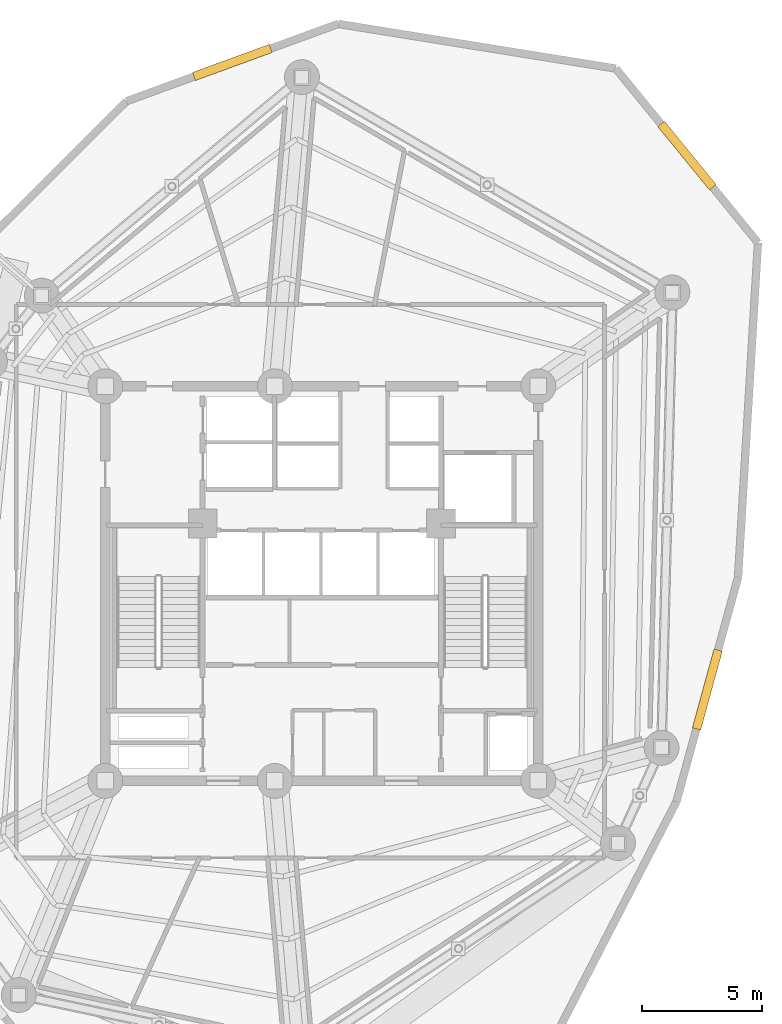
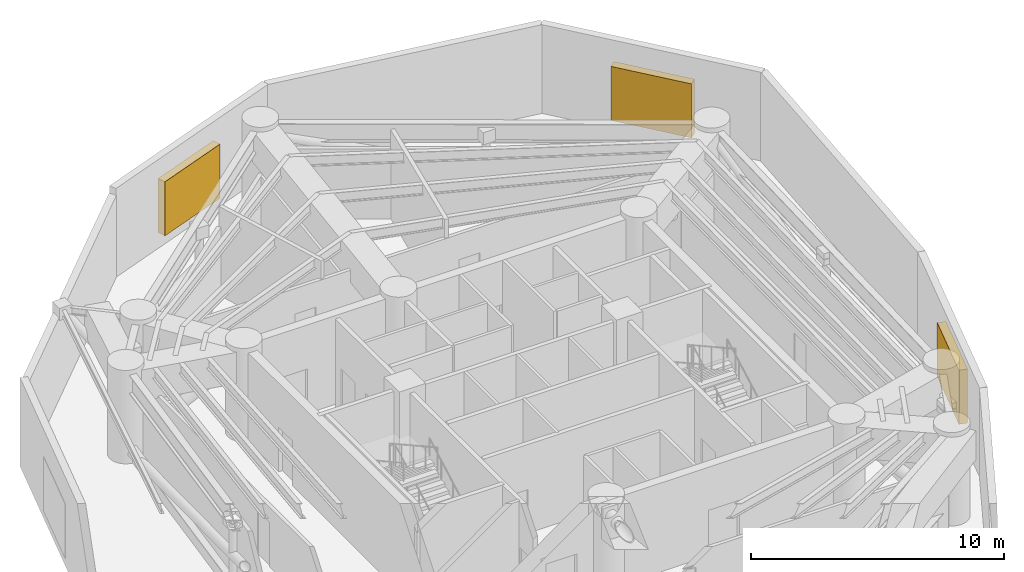
# One storey, part 11 of 11: 3 shading devices.
"""IFC4 building model written with IfcOpenShell, lengths in metres."""

from ifc_helpers import new_model, si_unit, direction, frame, origin, origin_with_axes, origin_2d, place, context, subcontext, project, spatial, rectangle, extrude, source, transform, mapped, material, layer, layer_set, type_object, element, save


model = new_model("IFC4")

# Units and contexts
model_context = context("Model", 3, precision=1e-05, world=origin(), true_north=direction((0.0, 1.0)))
body_context = subcontext(model_context, "Body", "Model", "MODEL_VIEW")
ifc_project = project(units=[si_unit("LENGTHUNIT", "METRE"), si_unit("AREAUNIT", "SQUARE_METRE"), si_unit("VOLUMEUNIT", "CUBIC_METRE"), si_unit("PLANEANGLEUNIT", "RADIAN"), si_unit("MASSUNIT", "GRAM", prefix="KILO")], contexts=[model_context])

# Site, building, storey
site_placement = place(None, origin())
site = spatial("IfcSite", under=ifc_project, at=site_placement, CompositionType="ELEMENT")
building_placement = place(site_placement, origin())
building = spatial("IfcBuilding", under=site, at=building_placement, Name="Karkom Vertical University and Central Library", CompositionType="ELEMENT")
storey_placement = place(building_placement, frame((0.0, 0.0, 148.050048828125)))
storey = spatial("IfcBuildingStorey", under=building, at=storey_placement, Name="P42", CompositionType="ELEMENT", Elevation=148.050048828125)

# Shading devices
ifc_material = material(Name="Powder-coated aluminium acoustic weather louvre", Category="aluminium")
ifc_layer = layer(ifc_material, 0.159912109375)
ifc_layer_set = layer_set([ifc_layer], Name="Powder-coated aluminium acoustic weather louvre")
shading_device_type = type_object("IfcShadingDeviceType", Name="ENV-SHD-LOUVRE", PredefinedType="JALOUSIE", material=ifc_layer_set)
shared_shape = source(origin_with_axes(), body_context, "Body", "SweptSolid", [
    extrude(rectangle(XDim=3.39990234375, YDim=0.360107421875, at=origin_2d()), origin(), (0.0, 0.0, 1.0), 2.60009765625),
])
for number, where, z_axis, x_axis, name in (
    (1, (44.523193359375, 22.098388671875, 0.39990234375), (0.0, 0.0, 1.0), (0.264882987263, 0.964280562419, 0.0), "Plant Level 42 Mechanical Acoustic Louvre 07"),
    (2, (43.6767578125, 44.289306640625, 0.39990234375), (0.0, 0.0, 1.0), (-0.632299770811, 0.77472382165, 0.0), "Plant Level 42 Mechanical Acoustic Louvre 09"),
    (3, (24.778564453125, 48.15966796875, 0.39990234375), (0.0, 0.0, 1.0), (-0.939274063153, -0.343167938899, 0.0), "Plant Level 42 Mechanical Acoustic Louvre 11"),
):
    element("IfcShadingDevice", number, at=place(storey_placement, frame(where, z_axis=z_axis, x_axis=x_axis)), inside=storey, type_object=shading_device_type, Name=name, PredefinedType="JALOUSIE", context=body_context, shape_type="MappedRepresentation", body=[
        mapped(shared_shape, transform((0.0, 0.0, 0.0), scale=1.0)),
    ])

save(model, "model.ifc")
